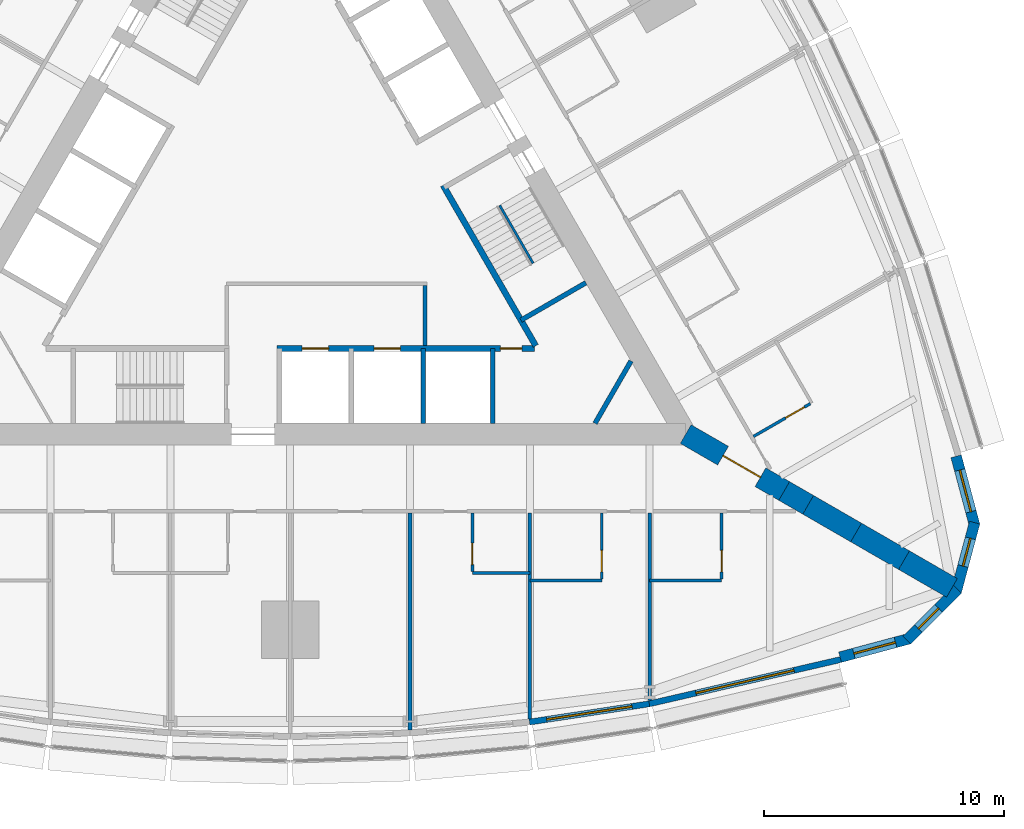
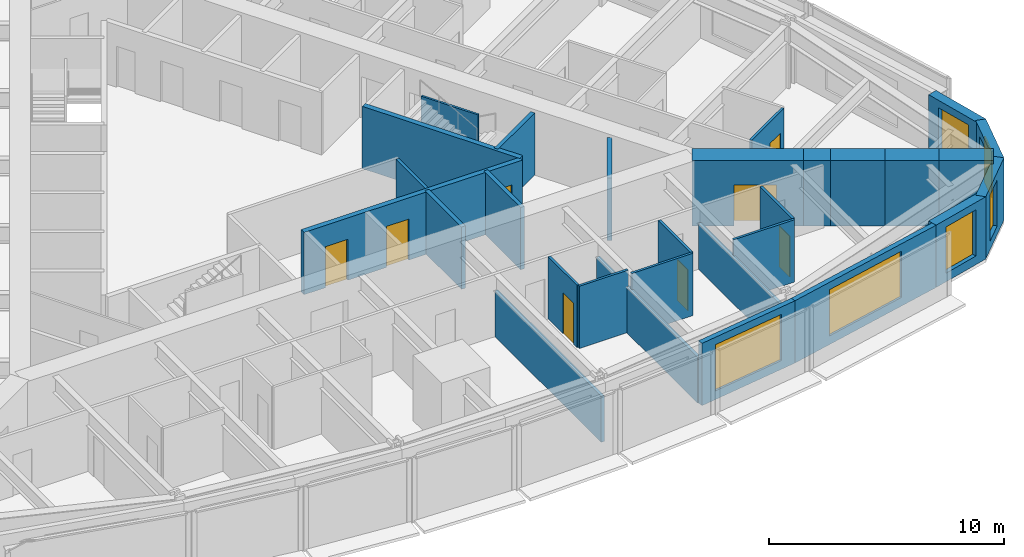
# One storey, part 10 of 14: 29 walls, 8 doors, 6 windows, 14 openings.
"""IFC4 building model written with IfcOpenShell, lengths in metres."""

from ifc_helpers import new_model, si_unit, direction, frame, frame_2d, origin, place, context, subcontext, project, spatial, polyline, rectangle, outline, extrude, material, layer, layer_set, type_object, element, fill, save


model = new_model("IFC4")

# Units and contexts
model_context = context("Model", 3, precision=1e-05, world=origin(), true_north=direction((0.0, 1.0)))
body_context = subcontext(model_context, "Body", "Model", "MODEL_VIEW")
ifc_project = project(units=[si_unit("LENGTHUNIT", "METRE"), si_unit("AREAUNIT", "SQUARE_METRE"), si_unit("VOLUMEUNIT", "CUBIC_METRE"), si_unit("PLANEANGLEUNIT", "RADIAN"), si_unit("MASSUNIT", "GRAM", prefix="KILO")], contexts=[model_context])

# Site, building, storey
site_placement = place(None, origin())
site = spatial("IfcSite", under=ifc_project, at=site_placement, CompositionType="ELEMENT")
building_placement = place(site_placement, origin())
building = spatial("IfcBuilding", under=site, at=building_placement, Name="Trikona Tower", CompositionType="ELEMENT")
storey_placement = place(building_placement, frame((0.0, 0.0, 31.89990234375)))
storey = spatial("IfcBuildingStorey", under=building, at=storey_placement, Name="L06", CompositionType="ELEMENT", Elevation=31.89990234375)

# Wall
ifc_material_1 = material(Name="Metal stud and cement board", Category="gypsum")
ifc_layer_1 = layer(ifc_material_1, 0.1201171875)
ifc_layer_set_1 = layer_set([ifc_layer_1], Name="Bathroom wall 120")
wall_type_1 = type_object("IfcWallType", Name="Bathroom wall 120", PredefinedType="PLUMBINGWALL", material=ifc_layer_set_1)
wall_1_placement = place(storey_placement, frame((7.60009765625, -15.326416015625, 0.0), z_axis=(0.0, 0.0, 1.0), x_axis=(1.0, 0.0, 0.0)))
element("IfcWall", 1, at=wall_1_placement, inside=storey, type_object=wall_type_1, Name="Bathroom wall 0604", PredefinedType="PLUMBINGWALL", context=body_context, shape_type="SweptSolid", body=[
    extrude(rectangle(XDim=2.39990234375, YDim=0.1201171875, at=frame_2d((1.199951171875, 0.0))), origin(), (0.0, 0.0, 1.0), 3.235107421875),
])

# Wall, opening, door
wall_2_placement = place(storey_placement, frame((7.60009765625, -12.826416015625, 0.0), z_axis=(0.0, 0.0, 1.0), x_axis=(0.0, -1.0, 0.0)))
wall_2 = element("IfcWall", 2, at=wall_2_placement, inside=storey, type_object=wall_type_1, Name="Bathroom wall 0604", PredefinedType="PLUMBINGWALL", context=body_context, shape_type="SweptSolid", body=[
    extrude(rectangle(XDim=2.43994140625, YDim=0.1201171875, at=frame_2d((1.219970703125, 0.0))), origin(), (0.0, 0.0, 1.0), 3.235107421875),
])
opening_1_placement = place(wall_2_placement, frame((1.25, 0.0, 0.0)))
opening_1 = element("IfcOpeningElement", 3, at=opening_1_placement, cuts=wall_2, Name="Opening D2", PredefinedType="OPENING", context=body_context, shape_type="SweptSolid", body=[
    extrude(rectangle(XDim=0.89990234375, YDim=2.1298828125, at=frame_2d((0.449951171875, 1.06494140625))), frame((0.0, 0.070068359375, 0.0), z_axis=(0.0, -1.0, 0.0), x_axis=(1.0, 0.0, 0.0)), (0.0, 0.0, 1.0), 0.14013671875),
])
ifc_material_2 = material(Name="Steel door frame with solid-core timber leaf", Category="steel")
door_type_1 = type_object("IfcDoorType", Name="Bathroom door 900x2130", OperationType="SLIDING_TO_LEFT", PredefinedType="DOOR", material=ifc_material_2)
door_1_placement = place(opening_1_placement, origin())
door_1 = element("IfcDoor", 4, at=door_1_placement, inside=storey, type_object=door_type_1, Name="Bathroom door 0604", OperationType="SLIDING_TO_LEFT", OverallHeight=2.1298828125, OverallWidth=0.89990234375, PredefinedType="DOOR", context=body_context, shape_type="SweptSolid", body=[
    extrude(rectangle(XDim=0.89990234375, YDim=2.1298828125, at=frame_2d((0.449951171875, 1.06494140625))), frame((0.0, 0.02490234375, 0.0), z_axis=(0.0, -1.0, 0.0), x_axis=(1.0, 0.0, 0.0)), (0.0, 0.0, 1.0), 0.050048828125),
])
fill(opening_1, door_1)

# Wall
wall_3_placement = place(storey_placement, frame((10.0, -15.626220703125, 0.0), z_axis=(0.0, 0.0, 1.0), x_axis=(1.0, 0.0, 0.0)))
element("IfcWall", 5, at=wall_3_placement, inside=storey, type_object=wall_type_1, Name="Bathroom wall 0605", PredefinedType="PLUMBINGWALL", context=body_context, shape_type="SweptSolid", body=[
    extrude(rectangle(XDim=3.0, YDim=0.1201171875, at=frame_2d((1.5, 0.0))), origin(), (0.0, 0.0, 1.0), 3.235107421875),
])

# Wall, opening, door
wall_4_placement = place(storey_placement, frame((13.0, -12.826416015625, 0.0), z_axis=(0.0, 0.0, 1.0), x_axis=(0.0, -1.0, 0.0)))
wall_4 = element("IfcWall", 6, at=wall_4_placement, inside=storey, type_object=wall_type_1, Name="Bathroom wall 0605", PredefinedType="PLUMBINGWALL", context=body_context, shape_type="SweptSolid", body=[
    extrude(rectangle(XDim=2.739990234375, YDim=0.1201171875, at=frame_2d((1.3701171875, 0.0))), origin(), (0.0, 0.0, 1.0), 3.235107421875),
])
opening_2_placement = place(wall_4_placement, frame((1.550048828125, 0.0, 0.0)))
opening_2 = element("IfcOpeningElement", 7, at=opening_2_placement, cuts=wall_4, Name="Opening D2", PredefinedType="OPENING", context=body_context, shape_type="SweptSolid", body=[
    extrude(rectangle(XDim=0.89990234375, YDim=2.1298828125, at=frame_2d((0.449951171875, 1.06494140625))), frame((0.0, 0.070068359375, 0.0), z_axis=(0.0, -1.0, 0.0), x_axis=(1.0, 0.0, 0.0)), (0.0, 0.0, 1.0), 0.14013671875),
])
door_2_placement = place(opening_2_placement, origin())
door_2 = element("IfcDoor", 8, at=door_2_placement, inside=storey, type_object=door_type_1, Name="Bathroom door 0605", OperationType="SLIDING_TO_LEFT", OverallHeight=2.1298828125, OverallWidth=0.89990234375, PredefinedType="DOOR", context=body_context, shape_type="SweptSolid", body=[
    extrude(rectangle(XDim=0.89990234375, YDim=2.1298828125, at=frame_2d((0.449951171875, 1.06494140625))), frame((0.0, 0.02490234375, 0.0), z_axis=(0.0, -1.0, 0.0), x_axis=(1.0, 0.0, 0.0)), (0.0, 0.0, 1.0), 0.050048828125),
])
fill(opening_2, door_2)

# Wall
wall_5_placement = place(storey_placement, frame((15.0, -15.626220703125, 0.0), z_axis=(0.0, 0.0, 1.0), x_axis=(1.0, 0.0, 0.0)))
element("IfcWall", 9, at=wall_5_placement, inside=storey, type_object=wall_type_1, Name="Bathroom wall 0606", PredefinedType="PLUMBINGWALL", context=body_context, shape_type="SweptSolid", body=[
    extrude(rectangle(XDim=3.0, YDim=0.1201171875, at=frame_2d((1.5, 0.0))), origin(), (0.0, 0.0, 1.0), 3.235107421875),
])

# Wall, opening, door
wall_6_placement = place(storey_placement, frame((18.0, -12.826416015625, 0.0), z_axis=(0.0, 0.0, 1.0), x_axis=(0.0, -1.0, 0.0)))
wall_6 = element("IfcWall", 10, at=wall_6_placement, inside=storey, type_object=wall_type_1, Name="Bathroom wall 0606", PredefinedType="PLUMBINGWALL", context=body_context, shape_type="SweptSolid", body=[
    extrude(rectangle(XDim=2.739990234375, YDim=0.1201171875, at=frame_2d((1.3701171875, 0.0))), origin(), (0.0, 0.0, 1.0), 3.235107421875),
])
opening_3_placement = place(wall_6_placement, frame((1.550048828125, 0.0, 0.0)))
opening_3 = element("IfcOpeningElement", 11, at=opening_3_placement, cuts=wall_6, Name="Opening D2", PredefinedType="OPENING", context=body_context, shape_type="SweptSolid", body=[
    extrude(rectangle(XDim=0.89990234375, YDim=2.1298828125, at=frame_2d((0.449951171875, 1.06494140625))), frame((0.0, 0.070068359375, 0.0), z_axis=(0.0, -1.0, 0.0), x_axis=(1.0, 0.0, 0.0)), (0.0, 0.0, 1.0), 0.14013671875),
])
door_3_placement = place(opening_3_placement, origin())
door_3 = element("IfcDoor", 12, at=door_3_placement, inside=storey, type_object=door_type_1, Name="Bathroom door 0606", OperationType="SLIDING_TO_LEFT", OverallHeight=2.1298828125, OverallWidth=0.89990234375, PredefinedType="DOOR", context=body_context, shape_type="SweptSolid", body=[
    extrude(rectangle(XDim=0.89990234375, YDim=2.1298828125, at=frame_2d((0.449951171875, 1.06494140625))), frame((0.0, 0.02490234375, 0.0), z_axis=(0.0, -1.0, 0.0), x_axis=(1.0, 0.0, 0.0)), (0.0, 0.0, 1.0), 0.050048828125),
])
fill(opening_3, door_3)

wall_7_placement = place(storey_placement, frame((19.32861328125, -9.625244140625, 0.0), z_axis=(0.0, 0.0, 1.0), x_axis=(0.866035715982, 0.499982138324, 0.0)))
wall_7 = element("IfcWall", 13, at=wall_7_placement, inside=storey, type_object=wall_type_1, Name="Bathroom wall 0607", PredefinedType="PLUMBINGWALL", context=body_context, shape_type="SweptSolid", body=[
    extrude(rectangle(XDim=2.73974609375, YDim=0.1201171875, at=frame_2d((1.369873046875, 0.0))), origin(), (0.0, 0.0, 1.0), 3.235107421875),
])
opening_4_placement = place(wall_7_placement, frame((1.550048828125, 0.0, 0.0)))
opening_4 = element("IfcOpeningElement", 14, at=opening_4_placement, cuts=wall_7, Name="Opening D2", PredefinedType="OPENING", context=body_context, shape_type="SweptSolid", body=[
    extrude(rectangle(XDim=0.89990234375, YDim=2.1298828125, at=frame_2d((0.449951171875, 1.06494140625))), frame((0.0, 0.070068359375, 0.0), z_axis=(0.0, -1.0, 0.0), x_axis=(1.0, 0.0, 0.0)), (0.0, 0.0, 1.0), 0.14013671875),
])
door_4_placement = place(opening_4_placement, origin())
door_4 = element("IfcDoor", 15, at=door_4_placement, inside=storey, type_object=door_type_1, Name="Bathroom door 0607", OperationType="SLIDING_TO_LEFT", OverallHeight=2.1298828125, OverallWidth=0.89990234375, PredefinedType="DOOR", context=body_context, shape_type="SweptSolid", body=[
    extrude(rectangle(XDim=0.89990234375, YDim=2.1298828125, at=frame_2d((0.449951171875, 1.06494140625))), frame((0.0, 0.02490234375, 0.0), z_axis=(0.0, -1.0, 0.0), x_axis=(1.0, 0.0, 0.0)), (0.0, 0.0, 1.0), 0.050048828125),
])
fill(opening_4, door_4)

# Wall, opening, window
ifc_material_3 = material(Name="Brick-faced precast concrete", Category="masonry")
ifc_layer_2 = layer(ifc_material_3, 0.449951171875)
ifc_layer_set_2 = layer_set([ifc_layer_2], Name="Brick-faced corner wall 450")
wall_type_2 = type_object("IfcWallType", Name="Brick-faced corner wall 450", PredefinedType="SOLIDWALL", material=ifc_layer_set_2)
wall_8_placement = place(storey_placement, frame((22.94189453125, -18.835205078125, 0.0), z_axis=(0.0, 0.0, 1.0), x_axis=(0.965930548995, 0.258801419081, 0.0)))
wall_8 = element("IfcWall", 16, at=wall_8_placement, inside=storey, type_object=wall_type_2, Name="External wall L06-08", PredefinedType="SOLIDWALL", context=body_context, shape_type="SweptSolid", body=[
    extrude(rectangle(XDim=2.988525390625, YDim=0.449951171875, at=frame_2d((1.494140625, 0.0))), origin(), (0.0, 0.0, 1.0), 3.235107421875),
])
opening_5_placement = place(wall_8_placement, frame((0.59423828125, 0.0, 0.449951171875)))
opening_5 = element("IfcOpeningElement", 17, at=opening_5_placement, cuts=wall_8, Name="Opening W1824", PredefinedType="OPENING", context=body_context, shape_type="SweptSolid", body=[
    extrude(rectangle(XDim=1.800048828125, YDim=2.39990234375, at=frame_2d((0.89990234375, 1.199951171875))), frame((0.0, 0.23486328125, 0.0), z_axis=(0.0, -1.0, 0.0), x_axis=(1.0, 0.0, 0.0)), (0.0, 0.0, 1.0), 0.469970703125),
])
ifc_material_4 = material(Name="Aluminium-framed double glazing", Category="aluminium")
window_type_1 = type_object("IfcWindowType", Name="Window 1800x2400", PartitioningType="SINGLE_PANEL", PredefinedType="WINDOW", material=ifc_material_4)
window_1_placement = place(opening_5_placement, origin())
window_1 = element("IfcWindow", 18, at=window_1_placement, inside=storey, type_object=window_type_1, Name="Window 0606", OverallHeight=2.39990234375, OverallWidth=1.800048828125, PartitioningType="SINGLE_PANEL", PredefinedType="WINDOW", context=body_context, shape_type="SweptSolid", body=[
    extrude(rectangle(XDim=1.800048828125, YDim=2.39990234375, at=frame_2d((0.89990234375, 1.199951171875))), frame((0.0, 0.030029296875, 0.0), z_axis=(0.0, -1.0, 0.0), x_axis=(1.0, 0.0, 0.0)), (0.0, 0.0, 1.0), 0.06005859375),
])
fill(opening_5, window_1)

wall_9_placement = place(storey_placement, frame((25.727783203125, -18.1201171875, 0.0), z_axis=(0.0, 0.0, 1.0), x_axis=(0.707025086683, 0.707188466253, 0.0)))
wall_9 = element("IfcWall", 19, at=wall_9_placement, inside=storey, type_object=wall_type_2, Name="External wall L06-09", PredefinedType="SOLIDWALL", context=body_context, shape_type="SweptSolid", body=[
    extrude(outline(polyline([(2.988525390625, 0.22509765625), (2.929931640625, 0.22509765625), (2.4375, 0.093017578125), (2.402099609375, 0.22509765625), (0.0, 0.22509765625), (0.0, -0.22509765625), (2.988525390625, -0.22509765625), (2.988525390625, 0.22509765625)])), origin(), (0.0, 0.0, 1.0), 3.235107421875),
])
opening_6_placement = place(wall_9_placement, frame((0.676025390625, 0.0, 0.449951171875)))
opening_6 = element("IfcOpeningElement", 20, at=opening_6_placement, cuts=wall_9, Name="Opening W1224", PredefinedType="OPENING", context=body_context, shape_type="SweptSolid", body=[
    extrude(rectangle(XDim=1.199951171875, YDim=2.39990234375, at=frame_2d((0.60009765625, 1.199951171875))), frame((0.0, 0.23486328125, 0.0), z_axis=(0.0, -1.0, 0.0), x_axis=(1.0, 0.0, 0.0)), (0.0, 0.0, 1.0), 0.469970703125),
])
ifc_material_5 = material(Name="Aluminium-framed double glazing", Category="aluminium")
window_type_2 = type_object("IfcWindowType", Name="Window 1200x2400", PartitioningType="SINGLE_PANEL", PredefinedType="WINDOW", material=ifc_material_5)
window_2_placement = place(opening_6_placement, origin())
window_2 = element("IfcWindow", 21, at=window_2_placement, inside=storey, type_object=window_type_2, Name="Window 0606", OverallHeight=2.39990234375, OverallWidth=1.199951171875, PartitioningType="SINGLE_PANEL", PredefinedType="WINDOW", context=body_context, shape_type="SweptSolid", body=[
    extrude(rectangle(XDim=1.199951171875, YDim=2.39990234375, at=frame_2d((0.60009765625, 1.199951171875))), frame((0.0, 0.030029296875, 0.0), z_axis=(0.0, -1.0, 0.0), x_axis=(1.0, 0.0, 0.0)), (0.0, 0.0, 1.0), 0.06005859375),
])
fill(opening_6, window_2)

wall_10_placement = place(storey_placement, frame((27.78271484375, -16.107666015625, 0.0), z_axis=(0.0, 0.0, 1.0), x_axis=(0.258801419081, 0.965930548995, 0.0)))
wall_10 = element("IfcWall", 22, at=wall_10_placement, inside=storey, type_object=wall_type_2, Name="External wall L06-10", PredefinedType="SOLIDWALL", context=body_context, shape_type="SweptSolid", body=[
    extrude(outline(polyline([(2.988525390625, 0.22509765625), (0.58642578125, 0.22509765625), (0.55126953125, 0.09326171875), (0.0595703125, 0.22509765625), (0.0, 0.22509765625), (0.0, -0.22509765625), (2.988525390625, -0.22509765625), (2.988525390625, 0.22509765625)])), origin(), (0.0, 0.0, 1.0), 3.235107421875),
])
opening_7_placement = place(wall_10_placement, frame((1.112548828125, 0.0, 0.449951171875)))
opening_7 = element("IfcOpeningElement", 23, at=opening_7_placement, cuts=wall_10, Name="Opening W1224", PredefinedType="OPENING", context=body_context, shape_type="SweptSolid", body=[
    extrude(rectangle(XDim=1.199951171875, YDim=2.39990234375, at=frame_2d((0.60009765625, 1.199951171875))), frame((0.0, 0.23486328125, 0.0), z_axis=(0.0, -1.0, 0.0), x_axis=(1.0, 0.0, 0.0)), (0.0, 0.0, 1.0), 0.469970703125),
])
window_3_placement = place(opening_7_placement, origin())
window_3 = element("IfcWindow", 24, at=window_3_placement, inside=storey, type_object=window_type_2, Name="Window 0607", OverallHeight=2.39990234375, OverallWidth=1.199951171875, PartitioningType="SINGLE_PANEL", PredefinedType="WINDOW", context=body_context, shape_type="SweptSolid", body=[
    extrude(rectangle(XDim=1.199951171875, YDim=2.39990234375, at=frame_2d((0.60009765625, 1.199951171875))), frame((0.0, 0.030029296875, 0.0), z_axis=(0.0, -1.0, 0.0), x_axis=(1.0, 0.0, 0.0)), (0.0, 0.0, 1.0), 0.06005859375),
])
fill(opening_7, window_3)

wall_11_placement = place(storey_placement, frame((28.55615234375, -13.33740234375, 0.0), z_axis=(0.0, 0.0, 1.0), x_axis=(-0.258780998834, 0.965936019953, 0.0)))
wall_11 = element("IfcWall", 25, at=wall_11_placement, inside=storey, type_object=wall_type_2, Name="External wall L06-11", PredefinedType="SOLIDWALL", context=body_context, shape_type="SweptSolid", body=[
    extrude(rectangle(XDim=2.98876953125, YDim=0.449951171875, at=frame_2d((1.494384765625, 0.0))), origin(), (0.0, 0.0, 1.0), 3.235107421875),
])
opening_8_placement = place(wall_11_placement, frame((0.59423828125, 0.0, 0.449951171875)))
opening_8 = element("IfcOpeningElement", 26, at=opening_8_placement, cuts=wall_11, Name="Opening W1824", PredefinedType="OPENING", context=body_context, shape_type="SweptSolid", body=[
    extrude(rectangle(XDim=1.800048828125, YDim=2.39990234375, at=frame_2d((0.89990234375, 1.199951171875))), frame((0.0, 0.23486328125, 0.0), z_axis=(0.0, -1.0, 0.0), x_axis=(1.0, 0.0, 0.0)), (0.0, 0.0, 1.0), 0.469970703125),
])
window_4_placement = place(opening_8_placement, origin())
window_4 = element("IfcWindow", 27, at=window_4_placement, inside=storey, type_object=window_type_1, Name="Window 0607", OverallHeight=2.39990234375, OverallWidth=1.800048828125, PartitioningType="SINGLE_PANEL", PredefinedType="WINDOW", context=body_context, shape_type="SweptSolid", body=[
    extrude(rectangle(XDim=1.800048828125, YDim=2.39990234375, at=frame_2d((0.89990234375, 1.199951171875))), frame((0.0, 0.030029296875, 0.0), z_axis=(0.0, -1.0, 0.0), x_axis=(1.0, 0.0, 0.0)), (0.0, 0.0, 1.0), 0.06005859375),
])
fill(opening_8, window_4)

# Wall, opening, door
ifc_material_6 = material(Name="Concrete f'c 10000 psi", Category="concrete")
ifc_layer_3 = layer(ifc_material_6, 0.89990234375)
ifc_layer_set_3 = layer_set([ifc_layer_3], Name="Buttress wall 900")
wall_type_3 = type_object("IfcWallType", Name="Buttress wall 900", PredefinedType="SHEAR", material=ifc_layer_set_3)
wall_12_placement = place(storey_placement, frame((16.5, -9.5263671875, 0.0), z_axis=(0.0, 0.0, 1.0), x_axis=(0.866031398331, -0.499989616998, 0.0)))
wall_12 = element("IfcWall", 28, at=wall_12_placement, inside=storey, type_object=wall_type_3, Name="Buttress wall 1", PredefinedType="SHEAR", context=body_context, shape_type="SweptSolid", body=[
    extrude(rectangle(XDim=4.74609375, YDim=0.89990234375, at=frame_2d((2.373046875, 0.0))), origin(), (0.0, 0.0, 1.0), 3.400146484375),
])
opening_9_placement = place(wall_12_placement, frame((1.800048828125, 0.0, 0.0)))
opening_9 = element("IfcOpeningElement", 29, at=opening_9_placement, cuts=wall_12, Name="Opening D10", PredefinedType="OPENING", context=body_context, shape_type="SweptSolid", body=[
    extrude(rectangle(XDim=1.800048828125, YDim=2.1298828125, at=frame_2d((0.89990234375, 1.06494140625))), frame((0.0, 0.4599609375, 0.0), z_axis=(0.0, -1.0, 0.0), x_axis=(1.0, 0.0, 0.0)), (0.0, 0.0, 1.0), 0.919921875),
])
ifc_material_7 = material(Name="Hollow metal door and frame", Category="steel")
door_type_2 = type_object("IfcDoorType", Name="Cross-corridor door pair 1800x2130", OperationType="DOUBLE_DOOR_DOUBLE_SWING", PredefinedType="DOOR", material=ifc_material_7)
door_5_placement = place(opening_9_placement, origin())
door_5 = element("IfcDoor", 30, at=door_5_placement, inside=storey, type_object=door_type_2, Name="Cross-corridor door 1", OperationType="DOUBLE_DOOR_DOUBLE_SWING", OverallHeight=2.1298828125, OverallWidth=1.800048828125, PredefinedType="DOOR", context=body_context, shape_type="SweptSolid", body=[
    extrude(rectangle(XDim=1.800048828125, YDim=2.1298828125, at=frame_2d((0.89990234375, 1.06494140625))), frame((0.0, 0.02490234375, 0.0), z_axis=(0.0, -1.0, 0.0), x_axis=(1.0, 0.0, 0.0)), (0.0, 0.0, 1.0), 0.050048828125),
])
fill(opening_9, door_5)

# Walls
wall_13_placement = place(storey_placement, frame((20.6103515625, -11.8994140625, 0.0), z_axis=(0.0, 0.0, 1.0), x_axis=(0.866009537788, -0.500027479704, 0.0)))
element("IfcWall", 31, at=wall_13_placement, inside=storey, type_object=wall_type_3, Name="Buttress wall 1 part 2", PredefinedType="SHEAR", context=body_context, shape_type="SweptSolid", body=[
    extrude(rectangle(XDim=1.15478515625, YDim=0.89990234375, at=frame_2d((0.577392578125, 0.0))), origin(), (0.0, 0.0, 1.0), 3.400146484375),
])
for number, where, z_axis, x_axis, name in (
    (32, (21.6103515625, -12.476806640625, 0.0), (0.0, 0.0, 1.0), (0.866055313784, -0.499948190782, 0.0), "Buttress wall 1 part 3"),
    (33, (23.6103515625, -13.63134765625, 0.0), (0.0, 0.0, 1.0), (0.866009537788, -0.500027479704, 0.0), "Buttress wall 1 part 4"),
    (34, (25.6103515625, -14.7861328125, 0.0), (0.0, 0.0, 1.0), (0.866009537788, -0.500027479704, 0.0), "Buttress wall 1 part 5"),
):
    element("IfcWall", number, at=place(storey_placement, frame(where, z_axis=z_axis, x_axis=x_axis)), inside=storey, type_object=wall_type_3, Name=name, PredefinedType="SHEAR", context=body_context, shape_type="SweptSolid", body=[
        extrude(rectangle(XDim=2.309326171875, YDim=0.89990234375, at=frame_2d((1.15478515625, 0.0))), origin(), (0.0, 0.0, 1.0), 3.400146484375),
    ])

# Wall, openings, doors
ifc_material_8 = material(Name="Concrete f'c 8000 psi", Category="concrete")
ifc_layer_4 = layer(ifc_material_8, 0.25)
ifc_layer_set_4 = layer_set([ifc_layer_4], Name="Hub wall 250")
wall_type_4 = type_object("IfcWallType", Name="Hub wall 250", PredefinedType="SOLIDWALL", material=ifc_layer_set_4)
wall_14_placement = place(storey_placement, frame((-0.550048828125, -5.951416015625, 0.0), z_axis=(0.0, 0.0, 1.0), x_axis=(1.0, 0.0, 0.0)))
wall_14 = element("IfcWall", 35, at=wall_14_placement, inside=storey, type_object=wall_type_4, Name="Lift lobby wall A2", PredefinedType="SOLIDWALL", context=body_context, shape_type="SweptSolid", body=[
    extrude(rectangle(XDim=10.73291015625, YDim=0.25, at=frame_2d((5.366455078125, 0.0))), origin(), (0.0, 0.0, 1.0), 3.235107421875),
])
opening_10_placement = place(wall_14_placement, frame((9.31396484375, 0.0, 0.0)))
opening_10 = element("IfcOpeningElement", 36, at=opening_10_placement, cuts=wall_14, Name="Opening D14", PredefinedType="OPENING", context=body_context, shape_type="SweptSolid", body=[
    extrude(rectangle(XDim=0.89990234375, YDim=2.1298828125, at=frame_2d((0.449951171875, 1.06494140625))), frame((0.0, 0.135009765625, 0.0), z_axis=(0.0, -1.0, 0.0), x_axis=(1.0, 0.0, 0.0)), (0.0, 0.0, 1.0), 0.27001953125),
])
opening_11_placement = place(wall_14_placement, frame((1.050048828125, 0.0, 0.0)))
opening_11 = element("IfcOpeningElement", 37, at=opening_11_placement, cuts=wall_14, Name="Opening LD", PredefinedType="OPENING", context=body_context, shape_type="SweptSolid", body=[
    extrude(rectangle(XDim=1.10009765625, YDim=2.1298828125, at=frame_2d((0.550048828125, 1.06494140625))), frame((0.0, 0.135009765625, 0.0), z_axis=(0.0, -1.0, 0.0), x_axis=(1.0, 0.0, 0.0)), (0.0, 0.0, 1.0), 0.27001953125),
])
opening_12_placement = place(wall_14_placement, frame((4.050048828125, 0.0, 0.0)))
opening_12 = element("IfcOpeningElement", 38, at=opening_12_placement, cuts=wall_14, Name="Opening LD", PredefinedType="OPENING", context=body_context, shape_type="SweptSolid", body=[
    extrude(rectangle(XDim=1.10009765625, YDim=2.1298828125, at=frame_2d((0.550048828125, 1.06494140625))), frame((0.0, 0.135009765625, 0.0), z_axis=(0.0, -1.0, 0.0), x_axis=(1.0, 0.0, 0.0)), (0.0, 0.0, 1.0), 0.27001953125),
])
ifc_material_9 = material(Name="Stainless steel lift landing door", Category="steel")
door_type_3 = type_object("IfcDoorType", Name="Lift landing door 1100x2130", OperationType="DOUBLE_DOOR_SLIDING", PredefinedType="USERDEFINED", material=ifc_material_9)
door_6_placement = place(opening_11_placement, origin())
door_6 = element("IfcDoor", 39, at=door_6_placement, inside=storey, type_object=door_type_3, Name="Lift landing door FF1", ObjectType="LIFT LANDING DOOR", OperationType="DOUBLE_DOOR_SLIDING", OverallHeight=2.1298828125, OverallWidth=1.10009765625, PredefinedType="USERDEFINED", context=body_context, shape_type="SweptSolid", body=[
    extrude(rectangle(XDim=1.10009765625, YDim=2.1298828125, at=frame_2d((0.550048828125, 1.06494140625))), frame((0.0, 0.02490234375, 0.0), z_axis=(0.0, -1.0, 0.0), x_axis=(1.0, 0.0, 0.0)), (0.0, 0.0, 1.0), 0.050048828125),
])
fill(opening_11, door_6)
door_7_placement = place(opening_12_placement, origin())
door_7 = element("IfcDoor", 40, at=door_7_placement, inside=storey, type_object=door_type_3, Name="Lift landing door FF2", ObjectType="LIFT LANDING DOOR", OperationType="DOUBLE_DOOR_SLIDING", OverallHeight=2.1298828125, OverallWidth=1.10009765625, PredefinedType="USERDEFINED", context=body_context, shape_type="SweptSolid", body=[
    extrude(rectangle(XDim=1.10009765625, YDim=2.1298828125, at=frame_2d((0.550048828125, 1.06494140625))), frame((0.0, 0.02490234375, 0.0), z_axis=(0.0, -1.0, 0.0), x_axis=(1.0, 0.0, 0.0)), (0.0, 0.0, 1.0), 0.050048828125),
])
fill(opening_12, door_7)
ifc_material_10 = material(Name="Hollow metal door and frame", Category="steel")
door_type_4 = type_object("IfcDoorType", Name="Service room door 900x2130", OperationType="SINGLE_SWING_LEFT", PredefinedType="DOOR", material=ifc_material_10)
door_8_placement = place(opening_10_placement, origin())
door_8 = element("IfcDoor", 41, at=door_8_placement, inside=storey, type_object=door_type_4, Name="Door Linen store LIN", OperationType="SINGLE_SWING_RIGHT", OverallHeight=2.1298828125, OverallWidth=0.89990234375, PredefinedType="DOOR", context=body_context, shape_type="SweptSolid", body=[
    extrude(rectangle(XDim=0.89990234375, YDim=2.1298828125, at=frame_2d((0.449951171875, 1.06494140625))), frame((0.0, 0.02490234375, 0.0), z_axis=(0.0, -1.0, 0.0), x_axis=(1.0, 0.0, 0.0)), (0.0, 0.0, 1.0), 0.050048828125),
])
fill(opening_10, door_8)

# Wall
wall_15_placement = place(storey_placement, frame((10.245361328125, -5.843017578125, 0.0), z_axis=(0.0, 0.0, 1.0), x_axis=(-0.499993009313, 0.866029439822, 0.0)))
element("IfcWall", 42, at=wall_15_placement, inside=storey, type_object=wall_type_4, Name="Lift lobby wall B1", PredefinedType="SOLIDWALL", context=body_context, shape_type="SweptSolid", body=[
    extrude(rectangle(XDim=7.73291015625, YDim=0.25, at=frame_2d((3.866455078125, 0.0))), origin(), (0.0, 0.0, 1.0), 3.235107421875),
])

# Wall, opening, window
ifc_material_11 = material(Name="Insulated precast concrete spandrel panel", Category="concrete")
ifc_layer_5 = layer(ifc_material_11, 0.25)
ifc_layer_set_5 = layer_set([ifc_layer_5], Name="Inner skin wall 250")
wall_type_5 = type_object("IfcWallType", Name="Inner skin wall 250", PredefinedType="STANDARD", material=ifc_layer_set_5)
wall_16_placement = place(storey_placement, frame((9.981201171875, -21.540283203125, 0.0), z_axis=(0.0, 0.0, 1.0), x_axis=(0.988615403399, 0.150464561152, 0.0)))
wall_16 = element("IfcWall", 43, at=wall_16_placement, inside=storey, type_object=wall_type_5, Name="External wall L06-06", PredefinedType="STANDARD", context=body_context, shape_type="SweptSolid", body=[
    extrude(rectangle(XDim=5.0576171875, YDim=0.25, at=frame_2d((2.52880859375, 0.0))), origin(), (0.0, 0.0, 1.0), 3.235107421875),
])
opening_13_placement = place(wall_16_placement, frame((0.728759765625, 0.0, 0.449951171875)))
opening_13 = element("IfcOpeningElement", 44, at=opening_13_placement, cuts=wall_16, Name="Opening W3624", PredefinedType="OPENING", context=body_context, shape_type="SweptSolid", body=[
    extrude(rectangle(XDim=3.60009765625, YDim=2.39990234375, at=frame_2d((1.800048828125, 1.199951171875))), frame((0.0, 0.135009765625, 0.0), z_axis=(0.0, -1.0, 0.0), x_axis=(1.0, 0.0, 0.0)), (0.0, 0.0, 1.0), 0.27001953125),
])
ifc_material_12 = material(Name="Aluminium-framed double glazing", Category="aluminium")
window_type_3 = type_object("IfcWindowType", Name="Window 3600x2400", PartitioningType="SINGLE_PANEL", PredefinedType="WINDOW", material=ifc_material_12)
window_5_placement = place(opening_13_placement, origin())
window_5 = element("IfcWindow", 45, at=window_5_placement, inside=storey, type_object=window_type_3, Name="Window 0605", OverallHeight=2.39990234375, OverallWidth=3.60009765625, PartitioningType="SINGLE_PANEL", PredefinedType="WINDOW", context=body_context, shape_type="SweptSolid", body=[
    extrude(rectangle(XDim=3.60009765625, YDim=2.39990234375, at=frame_2d((1.800048828125, 1.199951171875))), frame((0.0, 0.030029296875, 0.0), z_axis=(0.0, -1.0, 0.0), x_axis=(1.0, 0.0, 0.0)), (0.0, 0.0, 1.0), 0.06005859375),
])
fill(opening_13, window_5)

wall_17_placement = place(storey_placement, frame((14.9716796875, -20.78125, 0.0), z_axis=(0.0, 0.0, 1.0), x_axis=(0.974279327392, 0.225343720163, 0.0)))
wall_17 = element("IfcWall", 46, at=wall_17_placement, inside=storey, type_object=wall_type_5, Name="External wall L06-07", PredefinedType="STANDARD", context=body_context, shape_type="SweptSolid", body=[
    extrude(rectangle(XDim=8.211181640625, YDim=0.25, at=frame_2d((4.10546875, 0.0))), origin(), (0.0, 0.0, 1.0), 3.235107421875),
])
opening_14_placement = place(wall_17_placement, frame((2.005615234375, 0.0, 0.449951171875)))
opening_14 = element("IfcOpeningElement", 47, at=opening_14_placement, cuts=wall_17, Name="Opening W4224", PredefinedType="OPENING", context=body_context, shape_type="SweptSolid", body=[
    extrude(rectangle(XDim=4.199951171875, YDim=2.39990234375, at=frame_2d((2.10009765625, 1.199951171875))), frame((0.0, 0.135009765625, 0.0), z_axis=(0.0, -1.0, 0.0), x_axis=(1.0, 0.0, 0.0)), (0.0, 0.0, 1.0), 0.27001953125),
])
ifc_material_13 = material(Name="Aluminium-framed double glazing", Category="aluminium")
window_type_4 = type_object("IfcWindowType", Name="Window 4200x2400", PartitioningType="SINGLE_PANEL", PredefinedType="WINDOW", material=ifc_material_13)
window_6_placement = place(opening_14_placement, origin())
window_6 = element("IfcWindow", 48, at=window_6_placement, inside=storey, type_object=window_type_4, Name="Window 0606", OverallHeight=2.39990234375, OverallWidth=4.199951171875, PartitioningType="SINGLE_PANEL", PredefinedType="WINDOW", context=body_context, shape_type="SweptSolid", body=[
    extrude(rectangle(XDim=4.199951171875, YDim=2.39990234375, at=frame_2d((2.10009765625, 1.199951171875))), frame((0.0, 0.030029296875, 0.0), z_axis=(0.0, -1.0, 0.0), x_axis=(1.0, 0.0, 0.0)), (0.0, 0.0, 1.0), 0.06005859375),
])
fill(opening_14, window_6)

# Walls
ifc_material_14 = material(Name="Metal stud and gypsum board, 2-hour shaft wall", Category="gypsum")
ifc_layer_6 = layer(ifc_material_14, 0.14990234375)
ifc_layer_set_6 = layer_set([ifc_layer_6], Name="Lobby wall 150")
wall_type_6 = type_object("IfcWallType", Name="Lobby wall 150", PredefinedType="PARTITIONING", material=ifc_layer_set_6)
wall_18_placement = place(storey_placement, frame((5.625, -5.826416015625, 0.0), z_axis=(0.0, 0.0, 1.0), x_axis=(0.0, 1.0, 0.0)))
element("IfcWall", 49, at=wall_18_placement, inside=storey, type_object=wall_type_6, Name="Fire service lift lobby wall 3", PredefinedType="PARTITIONING", context=body_context, shape_type="SweptSolid", body=[
    extrude(rectangle(XDim=2.5, YDim=0.14990234375, at=frame_2d((1.25, 0.0))), origin(), (0.0, 0.0, 1.0), 3.235107421875),
])
ifc_material_15 = material(Name="Metal stud and gypsum board, 1-hour acoustic", Category="gypsum")
ifc_layer_7 = layer(ifc_material_15, 0.14990234375)
ifc_layer_set_7 = layer_set([ifc_layer_7], Name="Party wall 150")
wall_type_7 = type_object("IfcWallType", Name="Party wall 150", PredefinedType="PARTITIONING", material=ifc_layer_set_7)
wall_19_placement = place(storey_placement, frame((5.0, -12.826416015625, 0.0), z_axis=(0.0, 0.0, 1.0), x_axis=(0.0, -1.0, 0.0)))
element("IfcWall", 50, at=wall_19_placement, inside=storey, type_object=wall_type_7, Name="Partition L06 F1 u5", PredefinedType="PARTITIONING", context=body_context, shape_type="SweptSolid", body=[
    extrude(rectangle(XDim=9.04296875, YDim=0.14990234375, at=frame_2d((4.521484375, 0.0))), origin(), (0.0, 0.0, 1.0), 2.389404296875),
])
wall_20_placement = place(storey_placement, frame((10.0, -12.826416015625, 0.0), z_axis=(0.0, 0.0, 1.0), x_axis=(0.0, -1.0, 0.0)))
element("IfcWall", 51, at=wall_20_placement, inside=storey, type_object=wall_type_7, Name="Partition L06 F1 u10", PredefinedType="PARTITIONING", context=body_context, shape_type="SweptSolid", body=[
    extrude(rectangle(XDim=8.58447265625, YDim=0.14990234375, at=frame_2d((4.292236328125, 0.0))), origin(), (0.0, 0.0, 1.0), 2.389404296875),
])
wall_21_placement = place(storey_placement, frame((15.0, -12.826416015625, 0.0), z_axis=(0.0, 0.0, 1.0), x_axis=(0.0, -1.0, 0.0)))
element("IfcWall", 52, at=wall_21_placement, inside=storey, type_object=wall_type_7, Name="Partition L06 F1 u15", PredefinedType="PARTITIONING", context=body_context, shape_type="SweptSolid", body=[
    extrude(rectangle(XDim=7.820068359375, YDim=0.14990234375, at=frame_2d((3.91015625, 0.0))), origin(), (0.0, 0.0, 1.0), 2.389404296875),
])
ifc_material_16 = material(Name="Concrete f'c 8000 psi", Category="concrete")
ifc_layer_8 = layer(ifc_material_16, 0.199951171875)
ifc_layer_set_8 = layer_set([ifc_layer_8], Name="Shaft wall 200")
wall_type_8 = type_object("IfcWallType", Name="Shaft wall 200", PredefinedType="SOLIDWALL", material=ifc_layer_set_8)
for number, where, z_axis, x_axis, name in (
    (53, (5.550048828125, -5.951416015625, 0.0), (0.0, 0.0, 1.0), (0.0, -1.0, 0.0), "Shaft wall A5"),
    (54, (8.449951171875, -5.951416015625, 0.0), (0.0, 0.0, 1.0), (0.0, -1.0, 0.0), "Shaft wall A6"),
):
    element("IfcWall", number, at=place(storey_placement, frame(where, z_axis=z_axis, x_axis=x_axis)), inside=storey, type_object=wall_type_8, Name=name, PredefinedType="SOLIDWALL", context=body_context, shape_type="SweptSolid", body=[
        extrude(rectangle(XDim=3.125, YDim=0.199951171875, at=frame_2d((1.5625, 0.0))), origin(), (0.0, 0.0, 1.0), 3.235107421875),
    ])
wall_22_placement = place(storey_placement, frame((14.219482421875, -6.476318359375, 0.0), z_axis=(0.0, 0.0, 1.0), x_axis=(-0.499952404951, -0.866052881055, 0.0)))
element("IfcWall", 55, at=wall_22_placement, inside=storey, type_object=wall_type_8, Name="Riser wall L06-RS1", PredefinedType="SOLIDWALL", context=body_context, shape_type="SweptSolid", body=[
    extrude(rectangle(XDim=3.002197265625, YDim=0.199951171875, at=frame_2d((1.5009765625, 0.0))), origin(), (0.0, 0.0, 1.0), 3.235107421875),
])
ifc_material_17 = material(Name="Concrete f'c 8000 psi", Category="concrete")
ifc_layer_9 = layer(ifc_material_17, 0.199951171875)
ifc_layer_set_9 = layer_set([ifc_layer_9], Name="Shaft wall 200 load-bearing")
wall_type_9 = type_object("IfcWallType", Name="Shaft wall 200 load-bearing", PredefinedType="SOLIDWALL", material=ifc_layer_set_9)
wall_23_placement = place(storey_placement, frame((9.62890625, -4.775390625, 0.0), z_axis=(0.0, 0.0, 1.0), x_axis=(0.866022959057, 0.500004234368, 0.0)))
element("IfcWall", 56, at=wall_23_placement, inside=storey, type_object=wall_type_9, Name="Shaft wall B1", PredefinedType="SOLIDWALL", context=body_context, shape_type="SweptSolid", body=[
    extrude(rectangle(XDim=3.125, YDim=0.199951171875, at=frame_2d((1.5625, 0.0))), origin(), (0.0, 0.0, 1.0), 3.235107421875),
])
ifc_material_18 = material(Name="Concrete f'c 5000 psi", Category="concrete")
ifc_layer_10 = layer(ifc_material_18, 0.10009765625)
ifc_layer_set_10 = layer_set([ifc_layer_10], Name="Stair spine wall 100")
wall_type_10 = type_object("IfcWallType", Name="Stair spine wall 100", PredefinedType="SOLIDWALL", material=ifc_layer_set_10)
wall_24_placement = place(storey_placement, frame((10.134765625, -2.4013671875, 0.0), z_axis=(0.0, 0.0, 1.0), x_axis=(-0.499992232847, 0.866029888106, 0.0)))
element("IfcWall", 57, at=wall_24_placement, inside=storey, type_object=wall_type_10, Name="Stair B spine wall L06", PredefinedType="SOLIDWALL", context=body_context, shape_type="SweptSolid", body=[
    extrude(rectangle(XDim=2.7939453125, YDim=0.10009765625, at=frame_2d((1.39697265625, 0.0))), origin(), (0.0, 0.0, 1.0), 3.400146484375),
])

save(model, "model.ifc")
